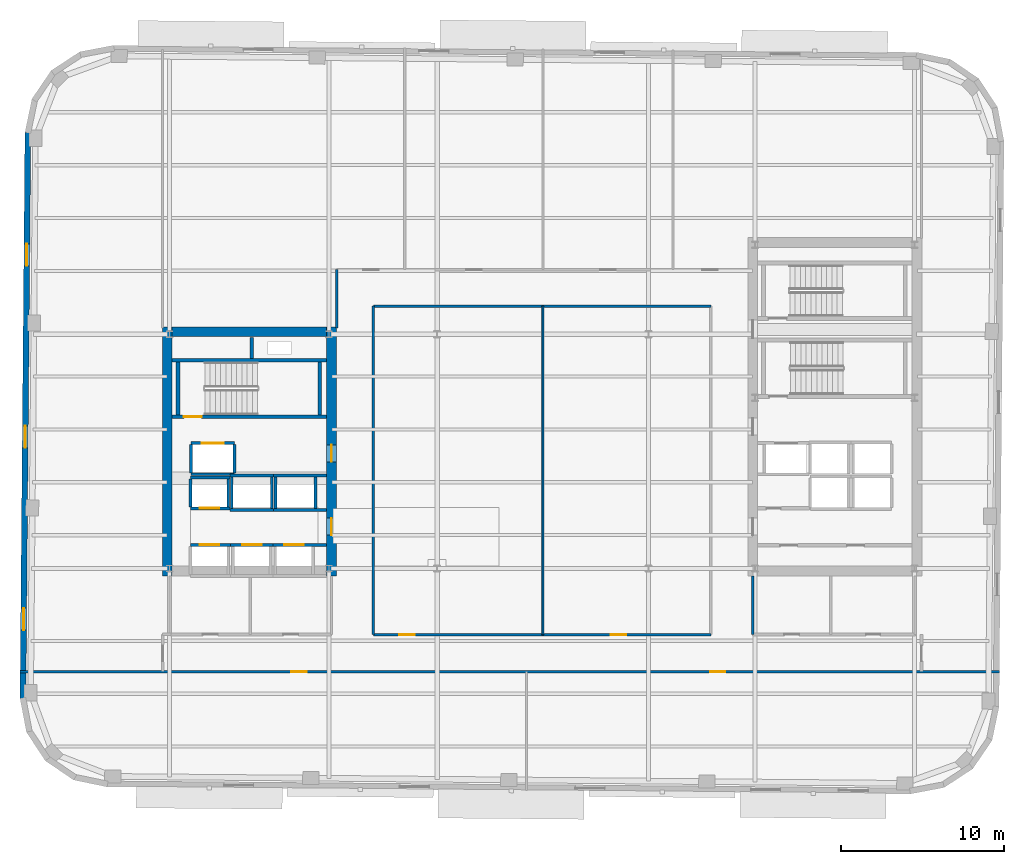
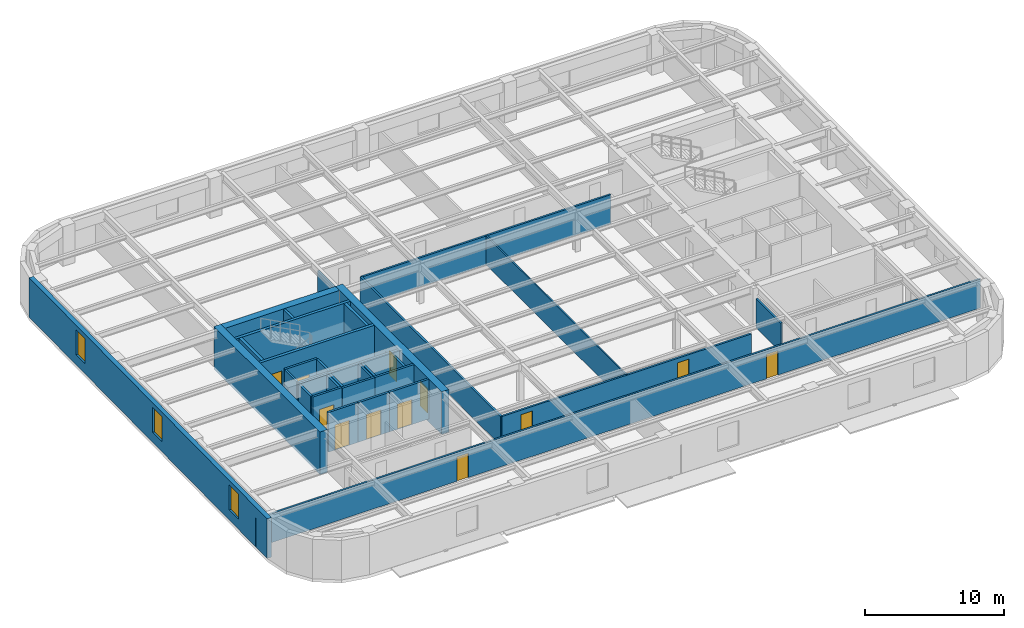
# One storey, part 4 of 10: 35 walls, 12 doors, 3 windows, 15 openings.
"""IFC4 building model written with IfcOpenShell, lengths in metres."""

from ifc_helpers import new_model, si_unit, direction, frame, frame_2d, origin, place, context, subcontext, project, spatial, rectangle, extrude, material, layer, layer_set, type_object, element, fill, save


model = new_model("IFC4")

# Units and contexts
model_context = context("Model", 3, precision=1e-05, world=origin(), true_north=direction((0.0, 1.0)))
body_context = subcontext(model_context, "Body", "Model", "MODEL_VIEW")
ifc_project = project(units=[si_unit("LENGTHUNIT", "METRE"), si_unit("AREAUNIT", "SQUARE_METRE"), si_unit("VOLUMEUNIT", "CUBIC_METRE"), si_unit("PLANEANGLEUNIT", "RADIAN"), si_unit("MASSUNIT", "GRAM", prefix="KILO")], contexts=[model_context])

# Site, building, storey
site_placement = place(None, origin())
site = spatial("IfcSite", under=ifc_project, at=site_placement, CompositionType="ELEMENT")
building_placement = place(site_placement, origin())
building = spatial("IfcBuilding", under=site, at=building_placement, Name="Kolvaren Arena Tower", CompositionType="ELEMENT")
storey_placement = place(building_placement, frame((0.0, 0.0, 192.199951171875)))
storey = spatial("IfcBuildingStorey", under=building, at=storey_placement, Name="L46", CompositionType="ELEMENT", Elevation=192.199951171875)

# Wall, openings, doors
ifc_material_1 = material(Name="Gypsum board acoustic assembly", Category="gypsum")
ifc_layer_1 = layer(ifc_material_1, 0.159912109375)
ifc_layer_set_1 = layer_set([ifc_layer_1], Name="Gypsum board acoustic assembly")
wall_type_1 = type_object("IfcWallType", Name="CORR-160", PredefinedType="PARTITIONING", material=ifc_layer_set_1)
wall_1_placement = place(storey_placement, frame((5.363525390625, 13.10009765625, 0.0), z_axis=(0.0, 0.0, 1.0), x_axis=(1.0, 0.0, 0.0)))
wall_1 = element("IfcWall", 1, at=wall_1_placement, inside=storey, type_object=wall_type_1, Name="Interior Partition Wall (L46)", PredefinedType="PARTITIONING", context=body_context, shape_type="SweptSolid", body=[
    extrude(rectangle(XDim=60.202392578125, YDim=0.159912109375, at=frame_2d((30.10107421875, 0.0))), origin(), (0.0, 0.0, 1.0), 2.5400390625),
])
opening_1_placement = place(wall_1_placement, frame((16.661376953125, 0.0, 0.0)))
opening_1 = element("IfcOpeningElement", 2, at=opening_1_placement, cuts=wall_1, Name="Opening D05", PredefinedType="OPENING", context=body_context, shape_type="SweptSolid", body=[
    extrude(rectangle(XDim=0.949951171875, YDim=2.14990234375, at=frame_2d((0.47509765625, 1.074951171875))), frame((0.0, 0.08984375, 0.0), z_axis=(0.0, -1.0, 0.0), x_axis=(1.0, 0.0, 0.0)), (0.0, 0.0, 1.0), 0.179931640625),
])
opening_2_placement = place(wall_1_placement, frame((42.411376953125, 0.0, 0.0)))
opening_2 = element("IfcOpeningElement", 3, at=opening_2_placement, cuts=wall_1, Name="Opening D05", PredefinedType="OPENING", context=body_context, shape_type="SweptSolid", body=[
    extrude(rectangle(XDim=0.949951171875, YDim=2.14990234375, at=frame_2d((0.47509765625, 1.074951171875))), frame((0.0, 0.08984375, 0.0), z_axis=(0.0, -1.0, 0.0), x_axis=(1.0, 0.0, 0.0)), (0.0, 0.0, 1.0), 0.179931640625),
])
ifc_material_2 = material(Name="Solid-core oak acoustic office door", Category="wood")
door_type_1 = type_object("IfcDoorType", Name="DOOR-OF-095", OperationType="NOTDEFINED", PredefinedType="DOOR", material=ifc_material_2)
door_1_placement = place(opening_1_placement, origin())
door_1 = element("IfcDoor", 4, at=door_1_placement, inside=storey, type_object=door_type_1, Name="Design Studio Door (L46)", OperationType="SINGLE_SWING_RIGHT", OverallHeight=2.14990234375, OverallWidth=0.949951171875, PredefinedType="DOOR", context=body_context, shape_type="SweptSolid", body=[
    extrude(rectangle(XDim=0.949951171875, YDim=2.14990234375, at=frame_2d((0.47509765625, 1.074951171875))), frame((0.0, 0.02490234375, 0.0), z_axis=(0.0, -1.0, 0.0), x_axis=(1.0, 0.0, 0.0)), (0.0, 0.0, 1.0), 0.050048828125),
])
fill(opening_1, door_1)
door_2_placement = place(opening_2_placement, origin())
door_2 = element("IfcDoor", 5, at=door_2_placement, inside=storey, type_object=door_type_1, Name="Design Studio Door (L46)", OperationType="SINGLE_SWING_LEFT", OverallHeight=2.14990234375, OverallWidth=0.949951171875, PredefinedType="DOOR", context=body_context, shape_type="SweptSolid", body=[
    extrude(rectangle(XDim=0.949951171875, YDim=2.14990234375, at=frame_2d((0.47509765625, 1.074951171875))), frame((0.0, 0.02490234375, 0.0), z_axis=(0.0, -1.0, 0.0), x_axis=(1.0, 0.0, 0.0)), (0.0, 0.0, 1.0), 0.050048828125),
])
fill(opening_2, door_2)

# Wall
wall_2_placement = place(storey_placement, frame((24.820068359375, 34.25, 0.0), z_axis=(0.0, 0.0, 1.0), x_axis=(0.0, 1.0, 0.0)))
element("IfcWall", 6, at=wall_2_placement, inside=storey, type_object=wall_type_1, Name="Interior Partition Wall (L46)", PredefinedType="PARTITIONING", context=body_context, shape_type="SweptSolid", body=[
    extrude(rectangle(XDim=3.570068359375, YDim=0.159912109375, at=frame_2d((1.78515625, 0.0))), origin(), (0.0, 0.0, 1.0), 2.5400390625),
])

# Wall, openings, doors
wall_3_placement = place(storey_placement, frame((27.080078125, 15.3798828125, 0.0), z_axis=(0.0, 0.0, 1.0), x_axis=(1.0, 0.0, 0.0)))
wall_3 = element("IfcWall", 7, at=wall_3_placement, inside=storey, type_object=wall_type_1, Name="Interior Partition Wall (L46)", PredefinedType="PARTITIONING", context=body_context, shape_type="SweptSolid", body=[
    extrude(rectangle(XDim=20.739990234375, YDim=0.159912109375, at=frame_2d((10.3701171875, 0.0))), origin(), (0.0, 0.0, 1.0), 2.5400390625),
])
opening_3_placement = place(wall_3_placement, frame((1.594970703125, 0.0, 0.0)))
opening_3 = element("IfcOpeningElement", 8, at=opening_3_placement, cuts=wall_3, Name="Opening D05", PredefinedType="OPENING", context=body_context, shape_type="SweptSolid", body=[
    extrude(rectangle(XDim=0.949951171875, YDim=2.14990234375, at=frame_2d((0.47509765625, 1.074951171875))), frame((0.0, 0.08984375, 0.0), z_axis=(0.0, -1.0, 0.0), x_axis=(1.0, 0.0, 0.0)), (0.0, 0.0, 1.0), 0.179931640625),
])
opening_4_placement = place(wall_3_placement, frame((14.594970703125, 0.0, 0.0)))
opening_4 = element("IfcOpeningElement", 9, at=opening_4_placement, cuts=wall_3, Name="Opening D05", PredefinedType="OPENING", context=body_context, shape_type="SweptSolid", body=[
    extrude(rectangle(XDim=0.949951171875, YDim=2.14990234375, at=frame_2d((0.47509765625, 1.074951171875))), frame((0.0, 0.08984375, 0.0), z_axis=(0.0, -1.0, 0.0), x_axis=(1.0, 0.0, 0.0)), (0.0, 0.0, 1.0), 0.179931640625),
])
door_3_placement = place(opening_3_placement, origin())
door_3 = element("IfcDoor", 10, at=door_3_placement, inside=storey, type_object=door_type_1, Name="Design Studio Door (L46)", OperationType="SINGLE_SWING_RIGHT", OverallHeight=2.14990234375, OverallWidth=0.949951171875, PredefinedType="DOOR", context=body_context, shape_type="SweptSolid", body=[
    extrude(rectangle(XDim=0.949951171875, YDim=2.14990234375, at=frame_2d((0.47509765625, 1.074951171875))), frame((0.0, 0.02490234375, 0.0), z_axis=(0.0, -1.0, 0.0), x_axis=(1.0, 0.0, 0.0)), (0.0, 0.0, 1.0), 0.050048828125),
])
fill(opening_3, door_3)
door_4_placement = place(opening_4_placement, origin())
door_4 = element("IfcDoor", 11, at=door_4_placement, inside=storey, type_object=door_type_1, Name="Design Studio Door (L46)", OperationType="SINGLE_SWING_LEFT", OverallHeight=2.14990234375, OverallWidth=0.949951171875, PredefinedType="DOOR", context=body_context, shape_type="SweptSolid", body=[
    extrude(rectangle(XDim=0.949951171875, YDim=2.14990234375, at=frame_2d((0.47509765625, 1.074951171875))), frame((0.0, 0.02490234375, 0.0), z_axis=(0.0, -1.0, 0.0), x_axis=(1.0, 0.0, 0.0)), (0.0, 0.0, 1.0), 0.050048828125),
])
fill(opening_4, door_4)

# Walls
wall_4_placement = place(storey_placement, frame((27.080078125, 35.580078125, 0.0), z_axis=(0.0, 0.0, 1.0), x_axis=(1.0, 0.0, 0.0)))
element("IfcWall", 12, at=wall_4_placement, inside=storey, type_object=wall_type_1, Name="Interior Partition Wall (L46)", PredefinedType="PARTITIONING", context=body_context, shape_type="SweptSolid", body=[
    extrude(rectangle(XDim=20.739990234375, YDim=0.159912109375, at=frame_2d((10.3701171875, 0.0))), origin(), (0.0, 0.0, 1.0), 2.5400390625),
])
wall_5_placement = place(storey_placement, frame((27.080078125, 15.3798828125, 0.0), z_axis=(0.0, 0.0, 1.0), x_axis=(0.0, 1.0, 0.0)))
element("IfcWall", 13, at=wall_5_placement, inside=storey, type_object=wall_type_1, Name="Interior Partition Wall (L46)", PredefinedType="PARTITIONING", context=body_context, shape_type="SweptSolid", body=[
    extrude(rectangle(XDim=20.2001953125, YDim=0.159912109375, at=frame_2d((10.10009765625, 0.0))), origin(), (0.0, 0.0, 1.0), 2.5400390625),
])
ifc_material_3 = material(Name="Concrete 60 MPa", Category="concrete")
ifc_layer_2 = layer(ifc_material_3, 0.60009765625)
ifc_layer_set_2 = layer_set([ifc_layer_2], Name="Concrete 60 MPa")
wall_type_2 = type_object("IfcWallType", Name="CWALL-600", PredefinedType="SHEAR", material=ifc_layer_set_2)
wall_6_placement = place(storey_placement, frame((14.39990234375, 19.0, -0.27001953125), z_axis=(0.0, 0.0, 1.0), x_axis=(0.0, 1.0, 0.0)))
element("IfcWall", 14, at=wall_6_placement, inside=storey, type_object=wall_type_2, Name="Core Shear Wall WC-WEST (L46)", PredefinedType="SHEAR", context=body_context, shape_type="SweptSolid", body=[
    extrude(rectangle(XDim=15.300048828125, YDim=0.60009765625, at=frame_2d((7.64990234375, 0.0))), origin(), (0.0, 0.0, 1.0), 3.75),
])

# Wall, openings, doors
wall_7_placement = place(storey_placement, frame((24.5, 19.0, -0.27001953125), z_axis=(0.0, 0.0, 1.0), x_axis=(0.0, 1.0, 0.0)))
wall_7 = element("IfcWall", 15, at=wall_7_placement, inside=storey, type_object=wall_type_2, Name="Core Shear Wall WC-EAST (L46)", PredefinedType="SHEAR", context=body_context, shape_type="SweptSolid", body=[
    extrude(rectangle(XDim=15.300048828125, YDim=0.60009765625, at=frame_2d((7.64990234375, 0.0))), origin(), (0.0, 0.0, 1.0), 3.75),
])
opening_5_placement = place(wall_7_placement, frame((2.5, 0.0, 0.27001953125)))
opening_5 = element("IfcOpeningElement", 16, at=opening_5_placement, cuts=wall_7, Name="Opening D04", PredefinedType="OPENING", context=body_context, shape_type="SweptSolid", body=[
    extrude(rectangle(XDim=1.050048828125, YDim=2.14990234375, at=frame_2d((0.52490234375, 1.074951171875))), frame((0.0, 0.31005859375, 0.0), z_axis=(0.0, -1.0, 0.0), x_axis=(1.0, 0.0, 0.0)), (0.0, 0.0, 1.0), 0.6201171875),
])
opening_6_placement = place(wall_7_placement, frame((7.0, 0.0, 0.27001953125)))
opening_6 = element("IfcOpeningElement", 17, at=opening_6_placement, cuts=wall_7, Name="Opening D04", PredefinedType="OPENING", context=body_context, shape_type="SweptSolid", body=[
    extrude(rectangle(XDim=1.050048828125, YDim=2.14990234375, at=frame_2d((0.52490234375, 1.074951171875))), frame((0.0, 0.31005859375, 0.0), z_axis=(0.0, -1.0, 0.0), x_axis=(1.0, 0.0, 0.0)), (0.0, 0.0, 1.0), 0.6201171875),
])
ifc_material_4 = material(Name="Fire-rated steel lobby door", Category="steel")
door_type_2 = type_object("IfcDoorType", Name="DOOR-FF-105", OperationType="NOTDEFINED", PredefinedType="DOOR", material=ifc_material_4)
door_5_placement = place(opening_5_placement, origin())
door_5 = element("IfcDoor", 18, at=door_5_placement, inside=storey, type_object=door_type_2, Name="West Lift Lobby Fire Door (L46)", OperationType="SINGLE_SWING_LEFT", OverallHeight=2.14990234375, OverallWidth=1.050048828125, PredefinedType="DOOR", context=body_context, shape_type="SweptSolid", body=[
    extrude(rectangle(XDim=1.050048828125, YDim=2.14990234375, at=frame_2d((0.52490234375, 1.074951171875))), frame((0.0, 0.02490234375, 0.0), z_axis=(0.0, -1.0, 0.0), x_axis=(1.0, 0.0, 0.0)), (0.0, 0.0, 1.0), 0.050048828125),
])
fill(opening_5, door_5)
door_6_placement = place(opening_6_placement, origin())
door_6 = element("IfcDoor", 19, at=door_6_placement, inside=storey, type_object=door_type_2, Name="West Firefighter Vestibule Door (L46)", OperationType="SINGLE_SWING_RIGHT", OverallHeight=2.14990234375, OverallWidth=1.050048828125, PredefinedType="DOOR", context=body_context, shape_type="SweptSolid", body=[
    extrude(rectangle(XDim=1.050048828125, YDim=2.14990234375, at=frame_2d((0.52490234375, 1.074951171875))), frame((0.0, 0.02490234375, 0.0), z_axis=(0.0, -1.0, 0.0), x_axis=(1.0, 0.0, 0.0)), (0.0, 0.0, 1.0), 0.050048828125),
])
fill(opening_6, door_6)

# Wall
wall_8_placement = place(storey_placement, frame((14.699951171875, 34.0, -0.27001953125), z_axis=(0.0, 0.0, 1.0), x_axis=(1.0, 0.0, 0.0)))
element("IfcWall", 20, at=wall_8_placement, inside=storey, type_object=wall_type_2, Name="Core Shear Wall WC-NORTH (L46)", PredefinedType="SHEAR", context=body_context, shape_type="SweptSolid", body=[
    extrude(rectangle(XDim=9.5, YDim=0.60009765625, at=frame_2d((4.75, 0.0))), origin(), (0.0, 0.0, 1.0), 3.75),
])

# Wall, openings, windows
ifc_material_5 = material(Name="Precast concrete C50/60", Category="concrete")
ifc_layer_3 = layer(ifc_material_5, 0.360107421875)
ifc_layer_set_3 = layer_set([ifc_layer_3], Name="Precast concrete C50/60")
wall_type_3 = type_object("IfcWallType", Name="EXT-PIER2", PredefinedType="SOLIDWALL", material=ifc_layer_set_3)
wall_9_placement = place(storey_placement, frame((5.529296875, 11.461669921875, 0.0), z_axis=(0.0, 0.0, 1.0), x_axis=(0.008727287311, 0.999961916503, 0.0)))
wall_9 = element("IfcWall", 21, at=wall_9_placement, inside=storey, type_object=wall_type_3, Name="Exterior Precast Masonry-Frame Wall (L46)", PredefinedType="SOLIDWALL", context=body_context, shape_type="SweptSolid", body=[
    extrude(rectangle(XDim=34.800048828125, YDim=0.360107421875, at=frame_2d((17.39990234375, 0.0))), origin(), (0.0, 0.0, 1.0), 3.47998046875),
])
opening_7_placement = place(wall_9_placement, frame((4.199951171875, 0.0, 0.8798828125)))
opening_7 = element("IfcOpeningElement", 22, at=opening_7_placement, cuts=wall_9, Name="Opening W04", PredefinedType="OPENING", context=body_context, shape_type="SweptSolid", body=[
    extrude(rectangle(XDim=1.35009765625, YDim=2.199951171875, at=frame_2d((0.675048828125, 1.10009765625))), frame((0.0, 0.18994140625, 0.0), z_axis=(0.0, -1.0, 0.0), x_axis=(1.0, 0.0, 0.0)), (0.0, 0.0, 1.0), 0.380126953125),
])
opening_8_placement = place(wall_9_placement, frame((15.39990234375, 0.0, 0.8798828125)))
opening_8 = element("IfcOpeningElement", 23, at=opening_8_placement, cuts=wall_9, Name="Opening W04", PredefinedType="OPENING", context=body_context, shape_type="SweptSolid", body=[
    extrude(rectangle(XDim=1.35009765625, YDim=2.199951171875, at=frame_2d((0.675048828125, 1.10009765625))), frame((0.0, 0.18994140625, 0.0), z_axis=(0.0, -1.0, 0.0), x_axis=(1.0, 0.0, 0.0)), (0.0, 0.0, 1.0), 0.380126953125),
])
opening_9_placement = place(wall_9_placement, frame((26.60009765625, 0.0, 0.8798828125)))
opening_9 = element("IfcOpeningElement", 24, at=opening_9_placement, cuts=wall_9, Name="Opening W04", PredefinedType="OPENING", context=body_context, shape_type="SweptSolid", body=[
    extrude(rectangle(XDim=1.35009765625, YDim=2.199951171875, at=frame_2d((0.675048828125, 1.10009765625))), frame((0.0, 0.18994140625, 0.0), z_axis=(0.0, -1.0, 0.0), x_axis=(1.0, 0.0, 0.0)), (0.0, 0.0, 1.0), 0.380126953125),
])
ifc_material_6 = material(Name="Triple-glazed curved-facet corner window", Category="glass")
window_type = type_object("IfcWindowType", Name="WIN-CRN-A", PartitioningType="SINGLE_PANEL", PredefinedType="WINDOW", material=ifc_material_6)
window_1_placement = place(opening_7_placement, origin())
window_1 = element("IfcWindow", 25, at=window_1_placement, inside=storey, type_object=window_type, Name="End-Wall Punched Window (L46)", OverallHeight=2.199951171875, OverallWidth=1.35009765625, PartitioningType="SINGLE_PANEL", PredefinedType="WINDOW", context=body_context, shape_type="SweptSolid", body=[
    extrude(rectangle(XDim=1.35009765625, YDim=2.199951171875, at=frame_2d((0.675048828125, 1.10009765625))), frame((0.0, 0.030029296875, 0.0), z_axis=(0.0, -1.0, 0.0), x_axis=(1.0, 0.0, 0.0)), (0.0, 0.0, 1.0), 0.06005859375),
])
fill(opening_7, window_1)
window_2_placement = place(opening_8_placement, origin())
window_2 = element("IfcWindow", 26, at=window_2_placement, inside=storey, type_object=window_type, Name="End-Wall Punched Window (L46)", OverallHeight=2.199951171875, OverallWidth=1.35009765625, PartitioningType="SINGLE_PANEL", PredefinedType="WINDOW", context=body_context, shape_type="SweptSolid", body=[
    extrude(rectangle(XDim=1.35009765625, YDim=2.199951171875, at=frame_2d((0.675048828125, 1.10009765625))), frame((0.0, 0.030029296875, 0.0), z_axis=(0.0, -1.0, 0.0), x_axis=(1.0, 0.0, 0.0)), (0.0, 0.0, 1.0), 0.06005859375),
])
fill(opening_8, window_2)
window_3_placement = place(opening_9_placement, origin())
window_3 = element("IfcWindow", 27, at=window_3_placement, inside=storey, type_object=window_type, Name="End-Wall Punched Window (L46)", OverallHeight=2.199951171875, OverallWidth=1.35009765625, PartitioningType="SINGLE_PANEL", PredefinedType="WINDOW", context=body_context, shape_type="SweptSolid", body=[
    extrude(rectangle(XDim=1.35009765625, YDim=2.199951171875, at=frame_2d((0.675048828125, 1.10009765625))), frame((0.0, 0.030029296875, 0.0), z_axis=(0.0, -1.0, 0.0), x_axis=(1.0, 0.0, 0.0)), (0.0, 0.0, 1.0), 0.06005859375),
])
fill(opening_9, window_3)

# Wall
ifc_material_7 = material(Name="Gypsum board partition assembly", Category="gypsum")
ifc_layer_4 = layer(ifc_material_7, 0.114990234375)
ifc_layer_set_4 = layer_set([ifc_layer_4], Name="Gypsum board partition assembly")
wall_type_4 = type_object("IfcWallType", Name="PART-115", PredefinedType="PARTITIONING", material=ifc_layer_set_4)
wall_10_placement = place(storey_placement, frame((37.5, 15.3798828125, 0.0), z_axis=(0.0, 0.0, 1.0), x_axis=(0.0, 1.0, 0.0)))
element("IfcWall", 28, at=wall_10_placement, inside=storey, type_object=wall_type_4, Name="Interior Partition Wall (L46)", PredefinedType="PARTITIONING", context=body_context, shape_type="SweptSolid", body=[
    extrude(rectangle(XDim=20.2001953125, YDim=0.114990234375, at=frame_2d((10.10009765625, 0.0))), origin(), (0.0, 0.0, 1.0), 2.5400390625),
])

# Wall, opening, door
ifc_material_8 = material(Name="Concrete 45 MPa", Category="concrete")
ifc_layer_5 = layer(ifc_material_8, 0.25)
ifc_layer_set_5 = layer_set([ifc_layer_5], Name="Concrete 45 MPa")
wall_type_5 = type_object("IfcWallType", Name="SHAFT-250", PredefinedType="SOLIDWALL", material=ifc_layer_set_5)
wall_11_placement = place(storey_placement, frame((24.199951171875, 28.780029296875, 0.0), z_axis=(0.0, 0.0, 1.0), x_axis=(-1.0, 0.0, 0.0)))
wall_11 = element("IfcWall", 29, at=wall_11_placement, inside=storey, type_object=wall_type_5, Name="Core Shaft Wall (L46)", PredefinedType="SOLIDWALL", context=body_context, shape_type="SweptSolid", body=[
    extrude(rectangle(XDim=9.5, YDim=0.239990234375, at=frame_2d((4.75, 0.0))), origin(), (0.0, 0.0, 1.0), 3.47998046875),
])
opening_10_placement = place(wall_11_placement, frame((7.679931640625, 0.0, 0.0)))
opening_10 = element("IfcOpeningElement", 30, at=opening_10_placement, cuts=wall_11, Name="Opening D03", PredefinedType="OPENING", context=body_context, shape_type="SweptSolid", body=[
    extrude(rectangle(XDim=1.10009765625, YDim=2.14990234375, at=frame_2d((0.550048828125, 1.074951171875))), frame((0.0, 0.1298828125, 0.0), z_axis=(0.0, -1.0, 0.0), x_axis=(1.0, 0.0, 0.0)), (0.0, 0.0, 1.0), 0.260009765625),
])
ifc_material_9 = material(Name="Fire-rated steel exit stair door", Category="steel")
door_type_3 = type_object("IfcDoorType", Name="DOOR-ST-110", OperationType="NOTDEFINED", PredefinedType="DOOR", material=ifc_material_9)
door_7_placement = place(opening_10_placement, origin())
door_7 = element("IfcDoor", 31, at=door_7_placement, inside=storey, type_object=door_type_3, Name="Stair ST-W1 Fire Door (L46)", OperationType="SINGLE_SWING_RIGHT", OverallHeight=2.14990234375, OverallWidth=1.10009765625, PredefinedType="DOOR", context=body_context, shape_type="SweptSolid", body=[
    extrude(rectangle(XDim=1.10009765625, YDim=2.14990234375, at=frame_2d((0.550048828125, 1.074951171875))), frame((0.0, 0.02490234375, 0.0), z_axis=(0.0, -1.0, 0.0), x_axis=(1.0, 0.0, 0.0)), (0.0, 0.0, 1.0), 0.050048828125),
])
fill(opening_10, door_7)

# Walls
wall_12_placement = place(storey_placement, frame((14.699951171875, 32.25, 0.0), z_axis=(0.0, 0.0, 1.0), x_axis=(1.0, 0.0, 0.0)))
element("IfcWall", 32, at=wall_12_placement, inside=storey, type_object=wall_type_5, Name="Core Shaft Wall (L46)", PredefinedType="SOLIDWALL", context=body_context, shape_type="SweptSolid", body=[
    extrude(rectangle(XDim=9.5, YDim=0.239990234375, at=frame_2d((4.75, 0.0))), origin(), (0.0, 0.0, 1.0), 3.47998046875),
])
for number, where, z_axis, x_axis, name in (
    (33, (15.06005859375, 28.89990234375, 0.0), (0.0, 0.0, 1.0), (0.0, 1.0, 0.0), "Core Shaft Wall (L46)"),
    (34, (23.780029296875, 28.89990234375, 0.0), (0.0, 0.0, 1.0), (0.0, 1.0, 0.0), "Core Shaft Wall (L46)"),
):
    element("IfcWall", number, at=place(storey_placement, frame(where, z_axis=z_axis, x_axis=x_axis)), inside=storey, type_object=wall_type_5, Name=name, PredefinedType="SOLIDWALL", context=body_context, shape_type="SweptSolid", body=[
        extrude(rectangle(XDim=3.22998046875, YDim=0.239990234375, at=frame_2d((1.614990234375, 0.0))), origin(), (0.0, 0.0, 1.0), 3.47998046875),
    ])
wall_13_placement = place(storey_placement, frame((19.60009765625, 32.3701171875, 0.0), z_axis=(0.0, 0.0, 1.0), x_axis=(0.0, 1.0, 0.0)))
element("IfcWall", 35, at=wall_13_placement, inside=storey, type_object=wall_type_5, Name="Core Shaft Wall (L46)", PredefinedType="SOLIDWALL", context=body_context, shape_type="SweptSolid", body=[
    extrude(rectangle(XDim=1.27978515625, YDim=0.199951171875, at=frame_2d((0.639892578125, 0.0))), origin(), (0.0, 0.0, 1.0), 3.47998046875),
])

# Wall, opening, door
wall_14_placement = place(storey_placement, frame((15.844970703125, 20.905029296875, 0.0), z_axis=(0.0, 0.0, 1.0), x_axis=(1.0, 0.0, 0.0)))
wall_14 = element("IfcWall", 36, at=wall_14_placement, inside=storey, type_object=wall_type_5, Name="Core Shaft Wall (L46)", PredefinedType="SOLIDWALL", context=body_context, shape_type="SweptSolid", body=[
    extrude(rectangle(XDim=2.455078125, YDim=0.179931640625, at=frame_2d((1.2275390625, 0.0))), origin(), (0.0, 0.0, 1.0), 3.47998046875),
])
opening_11_placement = place(wall_14_placement, frame((0.554931640625, 0.0, 0.0)))
opening_11 = element("IfcOpeningElement", 37, at=opening_11_placement, cuts=wall_14, Name="Opening LD1", PredefinedType="OPENING", context=body_context, shape_type="SweptSolid", body=[
    extrude(rectangle(XDim=1.199951171875, YDim=2.199951171875, at=frame_2d((0.60009765625, 1.10009765625))), frame((0.0, 0.099853515625, 0.0), z_axis=(0.0, -1.0, 0.0), x_axis=(1.0, 0.0, 0.0)), (0.0, 0.0, 1.0), 0.199951171875),
])
ifc_material_10 = material(Name="Stainless steel passenger lift landing door", Category="steel")
door_type_4 = type_object("IfcDoorType", Name="DOOR-LD-120", OperationType="DOUBLE_DOOR_SLIDING", PredefinedType="DOOR", material=ifc_material_10)
door_8_placement = place(opening_11_placement, origin())
door_8 = element("IfcDoor", 38, at=door_8_placement, inside=storey, type_object=door_type_4, Name="Lift EL-MR1 Landing Door (L46)", OperationType="DOUBLE_DOOR_SLIDING", OverallHeight=2.199951171875, OverallWidth=1.199951171875, PredefinedType="DOOR", context=body_context, shape_type="SweptSolid", body=[
    extrude(rectangle(XDim=1.199951171875, YDim=2.199951171875, at=frame_2d((0.60009765625, 1.10009765625))), frame((0.0, 0.02490234375, 0.0), z_axis=(0.0, -1.0, 0.0), x_axis=(1.0, 0.0, 0.0)), (0.0, 0.0, 1.0), 0.050048828125),
])
fill(opening_11, door_8)

wall_15_placement = place(storey_placement, frame((18.300048828125, 20.905029296875, 0.0), z_axis=(0.0, 0.0, 1.0), x_axis=(1.0, 0.0, 0.0)))
wall_15 = element("IfcWall", 39, at=wall_15_placement, inside=storey, type_object=wall_type_5, Name="Core Shaft Wall (L46)", PredefinedType="SOLIDWALL", context=body_context, shape_type="SweptSolid", body=[
    extrude(rectangle(XDim=2.599853515625, YDim=0.179931640625, at=frame_2d((1.2998046875, 0.0))), origin(), (0.0, 0.0, 1.0), 3.47998046875),
])
opening_12_placement = place(wall_15_placement, frame((0.699951171875, 0.0, 0.0)))
opening_12 = element("IfcOpeningElement", 40, at=opening_12_placement, cuts=wall_15, Name="Opening LD1", PredefinedType="OPENING", context=body_context, shape_type="SweptSolid", body=[
    extrude(rectangle(XDim=1.199951171875, YDim=2.199951171875, at=frame_2d((0.60009765625, 1.10009765625))), frame((0.0, 0.099853515625, 0.0), z_axis=(0.0, -1.0, 0.0), x_axis=(1.0, 0.0, 0.0)), (0.0, 0.0, 1.0), 0.199951171875),
])
door_9_placement = place(opening_12_placement, origin())
door_9 = element("IfcDoor", 41, at=door_9_placement, inside=storey, type_object=door_type_4, Name="Lift EL-MR2 Landing Door (L46)", OperationType="DOUBLE_DOOR_SLIDING", OverallHeight=2.199951171875, OverallWidth=1.199951171875, PredefinedType="DOOR", context=body_context, shape_type="SweptSolid", body=[
    extrude(rectangle(XDim=1.199951171875, YDim=2.199951171875, at=frame_2d((0.60009765625, 1.10009765625))), frame((0.0, 0.02490234375, 0.0), z_axis=(0.0, -1.0, 0.0), x_axis=(1.0, 0.0, 0.0)), (0.0, 0.0, 1.0), 0.050048828125),
])
fill(opening_12, door_9)

wall_16_placement = place(storey_placement, frame((20.89990234375, 20.905029296875, 0.0), z_axis=(0.0, 0.0, 1.0), x_axis=(1.0, 0.0, 0.0)))
wall_16 = element("IfcWall", 42, at=wall_16_placement, inside=storey, type_object=wall_type_5, Name="Core Shaft Wall (L46)", PredefinedType="SOLIDWALL", context=body_context, shape_type="SweptSolid", body=[
    extrude(rectangle(XDim=3.300048828125, YDim=0.179931640625, at=frame_2d((1.64990234375, 0.0))), origin(), (0.0, 0.0, 1.0), 3.47998046875),
])
opening_13_placement = place(wall_16_placement, frame((0.699951171875, 0.0, 0.0)))
opening_13 = element("IfcOpeningElement", 43, at=opening_13_placement, cuts=wall_16, Name="Opening LD1", PredefinedType="OPENING", context=body_context, shape_type="SweptSolid", body=[
    extrude(rectangle(XDim=1.199951171875, YDim=2.199951171875, at=frame_2d((0.60009765625, 1.10009765625))), frame((0.0, 0.099853515625, 0.0), z_axis=(0.0, -1.0, 0.0), x_axis=(1.0, 0.0, 0.0)), (0.0, 0.0, 1.0), 0.199951171875),
])
door_10_placement = place(opening_13_placement, origin())
door_10 = element("IfcDoor", 44, at=door_10_placement, inside=storey, type_object=door_type_4, Name="Lift EL-MR3 Landing Door (L46)", OperationType="DOUBLE_DOOR_SLIDING", OverallHeight=2.199951171875, OverallWidth=1.199951171875, PredefinedType="DOOR", context=body_context, shape_type="SweptSolid", body=[
    extrude(rectangle(XDim=1.199951171875, YDim=2.199951171875, at=frame_2d((0.60009765625, 1.10009765625))), frame((0.0, 0.02490234375, 0.0), z_axis=(0.0, -1.0, 0.0), x_axis=(1.0, 0.0, 0.0)), (0.0, 0.0, 1.0), 0.050048828125),
])
fill(opening_13, door_10)

# Wall
wall_17_placement = place(storey_placement, frame((15.844970703125, 25.054931640625, 0.0), z_axis=(0.0, 0.0, 1.0), x_axis=(1.0, 0.0, 0.0)))
element("IfcWall", 45, at=wall_17_placement, inside=storey, type_object=wall_type_5, Name="Core Shaft Wall (L46)", PredefinedType="SOLIDWALL", context=body_context, shape_type="SweptSolid", body=[
    extrude(rectangle(XDim=2.41748046875, YDim=0.179931640625, at=frame_2d((1.208740234375, 0.0))), origin(), (0.0, 0.0, 1.0), 3.47998046875),
])

# Wall, opening, door
wall_18_placement = place(storey_placement, frame((15.844970703125, 23.14501953125, 0.0), z_axis=(0.0, 0.0, 1.0), x_axis=(1.0, 0.0, 0.0)))
wall_18 = element("IfcWall", 46, at=wall_18_placement, inside=storey, type_object=wall_type_5, Name="Core Shaft Wall (L46)", PredefinedType="SOLIDWALL", context=body_context, shape_type="SweptSolid", body=[
    extrude(rectangle(XDim=2.41748046875, YDim=0.179931640625, at=frame_2d((1.208740234375, 0.0))), origin(), (0.0, 0.0, 1.0), 3.47998046875),
])
opening_14_placement = place(wall_18_placement, frame((0.554931640625, 0.0, 0.0)))
opening_14 = element("IfcOpeningElement", 47, at=opening_14_placement, cuts=wall_18, Name="Opening LD1", PredefinedType="OPENING", context=body_context, shape_type="SweptSolid", body=[
    extrude(rectangle(XDim=1.199951171875, YDim=2.199951171875, at=frame_2d((0.60009765625, 1.10009765625))), frame((0.0, 0.099853515625, 0.0), z_axis=(0.0, -1.0, 0.0), x_axis=(1.0, 0.0, 0.0)), (0.0, 0.0, 1.0), 0.199951171875),
])
door_11_placement = place(opening_14_placement, origin())
door_11 = element("IfcDoor", 48, at=door_11_placement, inside=storey, type_object=door_type_4, Name="Lift EL-MR4 Landing Door (L46)", OperationType="DOUBLE_DOOR_SLIDING", OverallHeight=2.199951171875, OverallWidth=1.199951171875, PredefinedType="DOOR", context=body_context, shape_type="SweptSolid", body=[
    extrude(rectangle(XDim=1.199951171875, YDim=2.199951171875, at=frame_2d((0.60009765625, 1.10009765625))), frame((0.0, 0.02490234375, 0.0), z_axis=(0.0, -1.0, 0.0), x_axis=(1.0, 0.0, 0.0)), (0.0, 0.0, 1.0), 0.050048828125),
])
fill(opening_14, door_11)

# Walls
for number, where, z_axis, x_axis, name in (
    (49, (15.844970703125, 23.235107421875, 0.0), (0.0, 0.0, 1.0), (0.0, 1.0, 0.0), "Core Shaft Wall (L46)"),
    (50, (18.155029296875, 23.235107421875, 0.0), (0.0, 0.0, 1.0), (0.0, 1.0, 0.0), "Core Shaft Wall (L46)"),
):
    element("IfcWall", number, at=place(storey_placement, frame(where, z_axis=z_axis, x_axis=x_axis)), inside=storey, type_object=wall_type_5, Name=name, PredefinedType="SOLIDWALL", context=body_context, shape_type="SweptSolid", body=[
        extrude(rectangle(XDim=1.72998046875, YDim=0.179931640625, at=frame_2d((0.864990234375, 0.0))), origin(), (0.0, 0.0, 1.0), 3.47998046875),
    ])
for number, where, z_axis, x_axis, name in (
    (51, (18.262451171875, 25.155029296875, 0.0), (0.0, 0.0, 1.0), (1.0, 0.0, 0.0), "Core Shaft Wall (L46)"),
    (52, (18.262451171875, 23.044921875, 0.0), (0.0, 0.0, 1.0), (1.0, 0.0, 0.0), "Core Shaft Wall (L46)"),
):
    element("IfcWall", number, at=place(storey_placement, frame(where, z_axis=z_axis, x_axis=x_axis)), inside=storey, type_object=wall_type_5, Name=name, PredefinedType="SOLIDWALL", context=body_context, shape_type="SweptSolid", body=[
        extrude(rectangle(XDim=2.6875, YDim=0.179931640625, at=frame_2d((1.34375, 0.0))), origin(), (0.0, 0.0, 1.0), 3.47998046875),
    ])
for number, where, z_axis, x_axis, name in (
    (53, (18.3701171875, 23.135009765625, 0.0), (0.0, 0.0, 1.0), (0.0, 1.0, 0.0), "Core Shaft Wall (L46)"),
    (54, (20.830078125, 23.135009765625, 0.0), (0.0, 0.0, 1.0), (0.0, 1.0, 0.0), "Core Shaft Wall (L46)"),
):
    element("IfcWall", number, at=place(storey_placement, frame(where, z_axis=z_axis, x_axis=x_axis)), inside=storey, type_object=wall_type_5, Name=name, PredefinedType="SOLIDWALL", context=body_context, shape_type="SweptSolid", body=[
        extrude(rectangle(XDim=1.929931640625, YDim=0.179931640625, at=frame_2d((0.96484375, 0.0))), origin(), (0.0, 0.0, 1.0), 3.47998046875),
    ])
for number, where, z_axis, x_axis, name in (
    (55, (20.949951171875, 25.155029296875, 0.0), (0.0, 0.0, 1.0), (1.0, 0.0, 0.0), "Core Shaft Wall (L46)"),
    (56, (20.949951171875, 23.044921875, 0.0), (0.0, 0.0, 1.0), (1.0, 0.0, 0.0), "Core Shaft Wall (L46)"),
):
    element("IfcWall", number, at=place(storey_placement, frame(where, z_axis=z_axis, x_axis=x_axis)), inside=storey, type_object=wall_type_5, Name=name, PredefinedType="SOLIDWALL", context=body_context, shape_type="SweptSolid", body=[
        extrude(rectangle(XDim=3.25, YDim=0.179931640625, at=frame_2d((1.625, 0.0))), origin(), (0.0, 0.0, 1.0), 3.47998046875),
    ])
for number, where, z_axis, x_axis, name in (
    (57, (21.070068359375, 23.135009765625, 0.0), (0.0, 0.0, 1.0), (0.0, 1.0, 0.0), "Core Shaft Wall (L46)"),
    (58, (23.530029296875, 23.135009765625, 0.0), (0.0, 0.0, 1.0), (0.0, 1.0, 0.0), "Core Shaft Wall (L46)"),
):
    element("IfcWall", number, at=place(storey_placement, frame(where, z_axis=z_axis, x_axis=x_axis)), inside=storey, type_object=wall_type_5, Name=name, PredefinedType="SOLIDWALL", context=body_context, shape_type="SweptSolid", body=[
        extrude(rectangle(XDim=1.929931640625, YDim=0.179931640625, at=frame_2d((0.96484375, 0.0))), origin(), (0.0, 0.0, 1.0), 3.47998046875),
    ])

# Wall, opening, door
wall_19_placement = place(storey_placement, frame((15.8701171875, 27.155029296875, 0.0), z_axis=(0.0, 0.0, 1.0), x_axis=(1.0, 0.0, 0.0)))
wall_19 = element("IfcWall", 59, at=wall_19_placement, inside=storey, type_object=wall_type_5, Name="Core Shaft Wall (L46)", PredefinedType="SOLIDWALL", context=body_context, shape_type="SweptSolid", body=[
    extrude(rectangle(XDim=2.659912109375, YDim=0.179931640625, at=frame_2d((1.330078125, 0.0))), origin(), (0.0, 0.0, 1.0), 3.47998046875),
])
opening_15_placement = place(wall_19_placement, frame((0.655029296875, 0.0, 0.0)))
opening_15 = element("IfcOpeningElement", 60, at=opening_15_placement, cuts=wall_19, Name="Opening LD2", PredefinedType="OPENING", context=body_context, shape_type="SweptSolid", body=[
    extrude(rectangle(XDim=1.35009765625, YDim=2.300048828125, at=frame_2d((0.675048828125, 1.14990234375))), frame((0.0, 0.099853515625, 0.0), z_axis=(0.0, -1.0, 0.0), x_axis=(1.0, 0.0, 0.0)), (0.0, 0.0, 1.0), 0.199951171875),
])
ifc_material_11 = material(Name="Stainless steel firefighter lift landing door", Category="steel")
door_type_5 = type_object("IfcDoorType", Name="DOOR-LD-135", OperationType="DOUBLE_DOOR_SLIDING", PredefinedType="DOOR", material=ifc_material_11)
door_12_placement = place(opening_15_placement, origin())
door_12 = element("IfcDoor", 61, at=door_12_placement, inside=storey, type_object=door_type_5, Name="Firefighter Lift FF-W1 Landing Door (L46)", OperationType="DOUBLE_DOOR_SLIDING", OverallHeight=2.300048828125, OverallWidth=1.35009765625, PredefinedType="DOOR", context=body_context, shape_type="SweptSolid", body=[
    extrude(rectangle(XDim=1.35009765625, YDim=2.300048828125, at=frame_2d((0.675048828125, 1.14990234375))), frame((0.0, 0.02490234375, 0.0), z_axis=(0.0, -1.0, 0.0), x_axis=(1.0, 0.0, 0.0)), (0.0, 0.0, 1.0), 0.050048828125),
])
fill(opening_15, door_12)

# Walls
wall_20_placement = place(storey_placement, frame((15.8701171875, 25.2451171875, 0.0), z_axis=(0.0, 0.0, 1.0), x_axis=(1.0, 0.0, 0.0)))
element("IfcWall", 62, at=wall_20_placement, inside=storey, type_object=wall_type_5, Name="Core Shaft Wall (L46)", PredefinedType="SOLIDWALL", context=body_context, shape_type="SweptSolid", body=[
    extrude(rectangle(XDim=2.659912109375, YDim=0.179931640625, at=frame_2d((1.330078125, 0.0))), origin(), (0.0, 0.0, 1.0), 3.47998046875),
])
for number, where, z_axis, x_axis, name in (
    (63, (15.8701171875, 25.3349609375, 0.0), (0.0, 0.0, 1.0), (0.0, 1.0, 0.0), "Core Shaft Wall (L46)"),
    (64, (18.530029296875, 25.3349609375, 0.0), (0.0, 0.0, 1.0), (0.0, 1.0, 0.0), "Core Shaft Wall (L46)"),
):
    element("IfcWall", number, at=place(storey_placement, frame(where, z_axis=z_axis, x_axis=x_axis)), inside=storey, type_object=wall_type_5, Name=name, PredefinedType="SOLIDWALL", context=body_context, shape_type="SweptSolid", body=[
        extrude(rectangle(XDim=1.72998046875, YDim=0.179931640625, at=frame_2d((0.864990234375, 0.0))), origin(), (0.0, 0.0, 1.0), 3.47998046875),
    ])
ifc_material_12 = material(Name="Moisture-resistant gypsum assembly", Category="gypsum")
ifc_layer_6 = layer(ifc_material_12, 0.14990234375)
ifc_layer_set_6 = layer_set([ifc_layer_6], Name="Moisture-resistant gypsum assembly")
wall_type_6 = type_object("IfcWallType", Name="WETW-150", PredefinedType="PARTITIONING", material=ifc_layer_set_6)
wall_21_placement = place(storey_placement, frame((50.39990234375, 15.39990234375, 0.0), z_axis=(0.0, 0.0, 1.0), x_axis=(0.0, 1.0, 0.0)))
element("IfcWall", 65, at=wall_21_placement, inside=storey, type_object=wall_type_6, Name="Interior Partition Wall (L46)", PredefinedType="PARTITIONING", context=body_context, shape_type="SweptSolid", body=[
    extrude(rectangle(XDim=3.580078125, YDim=0.14990234375, at=frame_2d((1.7900390625, 0.0))), origin(), (0.0, 0.0, 1.0), 2.5400390625),
])

save(model, "model.ifc")
